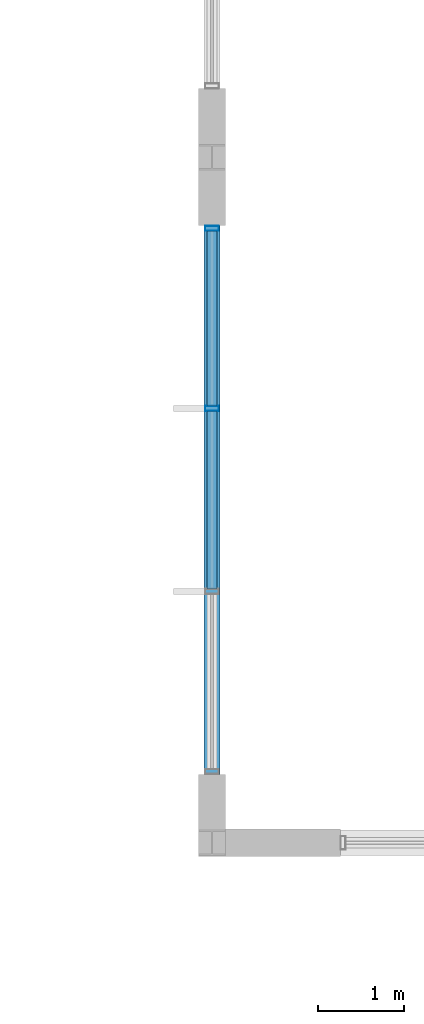
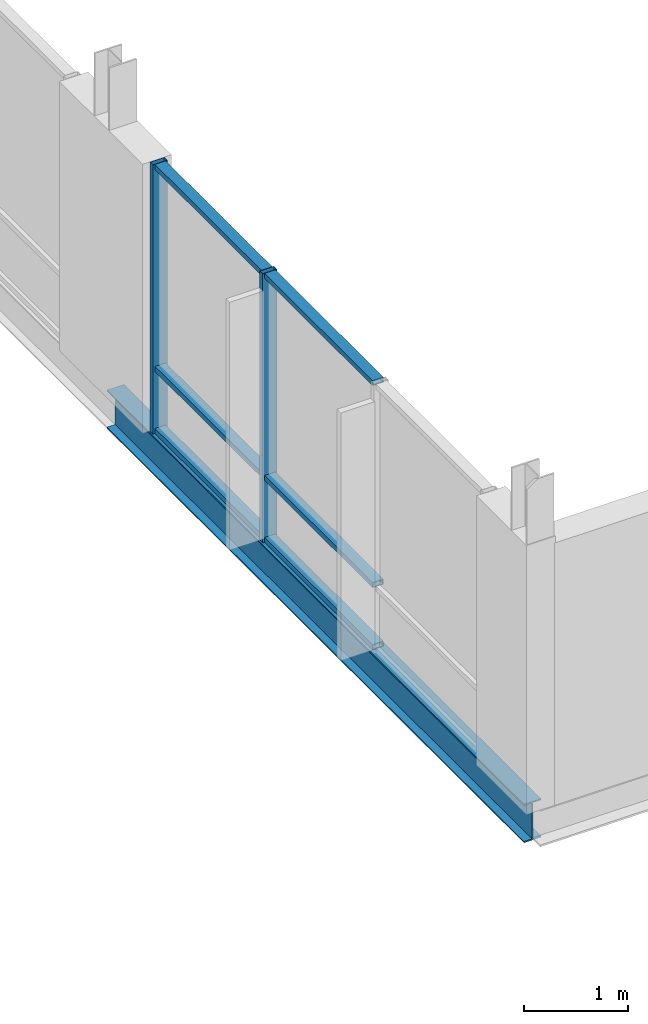
# One storey, part 109 of 189: 8 members, 1 beam, 1 element without a shape of its own.
"""IFC4 building model written with IfcOpenShell, lengths in metres."""

from ifc_helpers import new_model, si_unit, direction, frame, origin, origin_2d, place, context, subcontext, project, spatial, hollow_rectangle, i_section, extrude, material, material_profile, profile_set, type_object, element, aggregate, save


model = new_model("IFC4")

# Units and contexts
model_context = context("Model", 3, precision=1e-05, world=origin(), true_north=direction((0.0, 1.0)))
body_context = subcontext(model_context, "Body", "Model", "MODEL_VIEW")
ifc_project = project(units=[si_unit("LENGTHUNIT", "METRE"), si_unit("AREAUNIT", "SQUARE_METRE"), si_unit("VOLUMEUNIT", "CUBIC_METRE"), si_unit("PLANEANGLEUNIT", "RADIAN"), si_unit("MASSUNIT", "GRAM", prefix="KILO")], contexts=[model_context])

# Site, building, storey
site_placement = place(None, origin())
site = spatial("IfcSite", under=ifc_project, at=site_placement, CompositionType="ELEMENT")
building_placement = place(site_placement, origin())
building = spatial("IfcBuilding", under=site, at=building_placement, Name="Zavelmont Quarter", CompositionType="ELEMENT")
storey_placement = place(building_placement, frame((0.0, 0.0, 4.39990234375)))
storey = spatial("IfcBuildingStorey", under=building, at=storey_placement, Name="L01", CompositionType="ELEMENT", Elevation=4.39990234375)

# Beam
ifc_material_1 = material(Name="Steel S355", Category="steel")
ifc_material_profile_1 = material_profile(ifc_material_1, i_section(OverallWidth=0.18994140625, OverallDepth=0.449951171875, WebThickness=0.009521484375, FlangeThickness=0.0146484375, at=origin_2d()), Name="IPE 450")
ifc_profile_set_1 = profile_set([ifc_material_profile_1], Name="Steel S355")
beam_type = type_object("IfcBeamType", Name="BM12", PredefinedType="BEAM", material=ifc_profile_set_1)
beam_placement = place(storey_placement, frame((133.5, 38.0, -0.5048828125), z_axis=(0.0, 1.0, 0.0), x_axis=(-1.0, 0.0, 0.0)))
element("IfcBeam", 1, at=beam_placement, inside=storey, type_object=beam_type, Name="L01 beam BM12 20/G to 20/H", PredefinedType="BEAM", context=body_context, shape_type="SweptSolid", body=[
    extrude(i_section(OverallWidth=0.18994140625, OverallDepth=0.449951171875, WebThickness=0.009521484375, FlangeThickness=0.0146484375, at=origin_2d()), origin(), (0.0, 0.0, 1.0), 8.0),
])

# Curtain wall, members
ifc_material_2 = material(Name="Thermally broken aluminium and double low-E safety glazing", Category="aluminium")
curtain_wall_type = type_object("IfcCurtainWallType", Name="CW-640X315", PredefinedType="NOTDEFINED", material=ifc_material_2)
curtain_wall_placement = place(storey_placement, origin())
curtain_wall = element("IfcCurtainWall", 2, at=curtain_wall_placement, inside=storey, type_object=curtain_wall_type, Name="L01 unitised curtain wall CW-640X315", PredefinedType="NOTDEFINED")
ifc_material_3 = material(Name="Powder-coated aluminium EN AW-6063-T6", Category="aluminium")
ifc_material_profile_2 = material_profile(ifc_material_3, hollow_rectangle(XDim=0.06005859375, YDim=0.159912109375, WallThickness=0.00390625, at=origin_2d()), Name="CWM60X160")
ifc_profile_set_2 = profile_set([ifc_material_profile_2], Name="Powder-coated aluminium EN AW-6063-T6")
member_type_1 = type_object("IfcMemberType", Name="CWM01", PredefinedType="MULLION", material=ifc_profile_set_2)
member_1_placement = place(storey_placement, frame((133.5, 43.066650390625, -0.27978515625), z_axis=(0.0, 0.0, 1.0), x_axis=(0.0, 1.0, 0.0)))
member_1 = element("IfcMember", 3, at=member_1_placement, type_object=member_type_1, Name="CW-640X315 mullion 3", PredefinedType="MULLION", context=body_context, shape_type="SweptSolid", body=[
    extrude(hollow_rectangle(XDim=0.06005859375, YDim=0.159912109375, WallThickness=0.00390625, at=origin_2d()), origin(), (0.0, 0.0, 1.0), 3.14990234375),
])
member_2_placement = place(storey_placement, frame((133.5, 45.169921875, -0.27978515625), z_axis=(0.0, 0.0, 1.0), x_axis=(0.0, 1.0, 0.0)))
member_2 = element("IfcMember", 4, at=member_2_placement, type_object=member_type_1, Name="CW-640X315 mullion 4", PredefinedType="MULLION", context=body_context, shape_type="SweptSolid", body=[
    extrude(hollow_rectangle(XDim=0.06005859375, YDim=0.159912109375, WallThickness=0.00390625, at=origin_2d()), origin(), (0.0, 0.0, 1.0), 3.14990234375),
])
ifc_material_profile_3 = material_profile(ifc_material_3, hollow_rectangle(XDim=0.1201171875, YDim=0.06005859375, WallThickness=0.00390625, at=origin_2d()), Name="CWT60X120")
ifc_profile_set_3 = profile_set([ifc_material_profile_3], Name="Powder-coated aluminium EN AW-6063-T6")
member_type_2 = type_object("IfcMemberType", Name="CWT01", PredefinedType="NOTDEFINED", material=ifc_profile_set_3)
member_3_placement = place(storey_placement, frame((133.5, 40.96337890625, -0.25), z_axis=(0.0, 1.0, 0.0), x_axis=(-1.0, 0.0, 0.0)))
member_3 = element("IfcMember", 5, at=member_3_placement, type_object=member_type_2, Name="CW-640X315 transom 2.1", ObjectType="TRANSOM", PredefinedType="USERDEFINED", context=body_context, shape_type="SweptSolid", body=[
    extrude(hollow_rectangle(XDim=0.1201171875, YDim=0.06005859375, WallThickness=0.00390625, at=origin_2d()), origin(), (0.0, 0.0, 1.0), 2.0732421875),
])
member_4_placement = place(storey_placement, frame((133.5, 40.96337890625, 0.47607421875), z_axis=(0.0, 1.0, 0.0), x_axis=(-1.0, 0.0, 0.0)))
member_4 = element("IfcMember", 6, at=member_4_placement, type_object=member_type_2, Name="CW-640X315 transom 2.2", ObjectType="TRANSOM", PredefinedType="USERDEFINED", context=body_context, shape_type="SweptSolid", body=[
    extrude(hollow_rectangle(XDim=0.1201171875, YDim=0.06005859375, WallThickness=0.00390625, at=origin_2d()), origin(), (0.0, 0.0, 1.0), 2.0732421875),
])
member_5_placement = place(storey_placement, frame((133.5, 40.96337890625, 2.840087890625), z_axis=(0.0, 1.0, 0.0), x_axis=(-1.0, 0.0, 0.0)))
member_5 = element("IfcMember", 7, at=member_5_placement, type_object=member_type_2, Name="CW-640X315 transom 2.3", ObjectType="TRANSOM", PredefinedType="USERDEFINED", context=body_context, shape_type="SweptSolid", body=[
    extrude(hollow_rectangle(XDim=0.1201171875, YDim=0.06005859375, WallThickness=0.00390625, at=origin_2d()), origin(), (0.0, 0.0, 1.0), 2.0732421875),
])
member_6_placement = place(storey_placement, frame((133.5, 43.0966796875, -0.25), z_axis=(0.0, 1.0, 0.0), x_axis=(-1.0, 0.0, 0.0)))
member_6 = element("IfcMember", 8, at=member_6_placement, type_object=member_type_2, Name="CW-640X315 transom 3.1", ObjectType="TRANSOM", PredefinedType="USERDEFINED", context=body_context, shape_type="SweptSolid", body=[
    extrude(hollow_rectangle(XDim=0.1201171875, YDim=0.06005859375, WallThickness=0.00390625, at=origin_2d()), origin(), (0.0, 0.0, 1.0), 2.043212890625),
])
member_7_placement = place(storey_placement, frame((133.5, 43.0966796875, 0.47607421875), z_axis=(0.0, 1.0, 0.0), x_axis=(-1.0, 0.0, 0.0)))
member_7 = element("IfcMember", 9, at=member_7_placement, type_object=member_type_2, Name="CW-640X315 transom 3.2", ObjectType="TRANSOM", PredefinedType="USERDEFINED", context=body_context, shape_type="SweptSolid", body=[
    extrude(hollow_rectangle(XDim=0.1201171875, YDim=0.06005859375, WallThickness=0.00390625, at=origin_2d()), origin(), (0.0, 0.0, 1.0), 2.043212890625),
])
member_8_placement = place(storey_placement, frame((133.5, 43.0966796875, 2.840087890625), z_axis=(0.0, 1.0, 0.0), x_axis=(-1.0, 0.0, 0.0)))
member_8 = element("IfcMember", 10, at=member_8_placement, type_object=member_type_2, Name="CW-640X315 transom 3.3", ObjectType="TRANSOM", PredefinedType="USERDEFINED", context=body_context, shape_type="SweptSolid", body=[
    extrude(hollow_rectangle(XDim=0.1201171875, YDim=0.06005859375, WallThickness=0.00390625, at=origin_2d()), origin(), (0.0, 0.0, 1.0), 2.043212890625),
])
aggregate(curtain_wall, [member_1, member_2, member_3, member_4, member_5, member_6, member_7, member_8])

save(model, "model.ifc")
